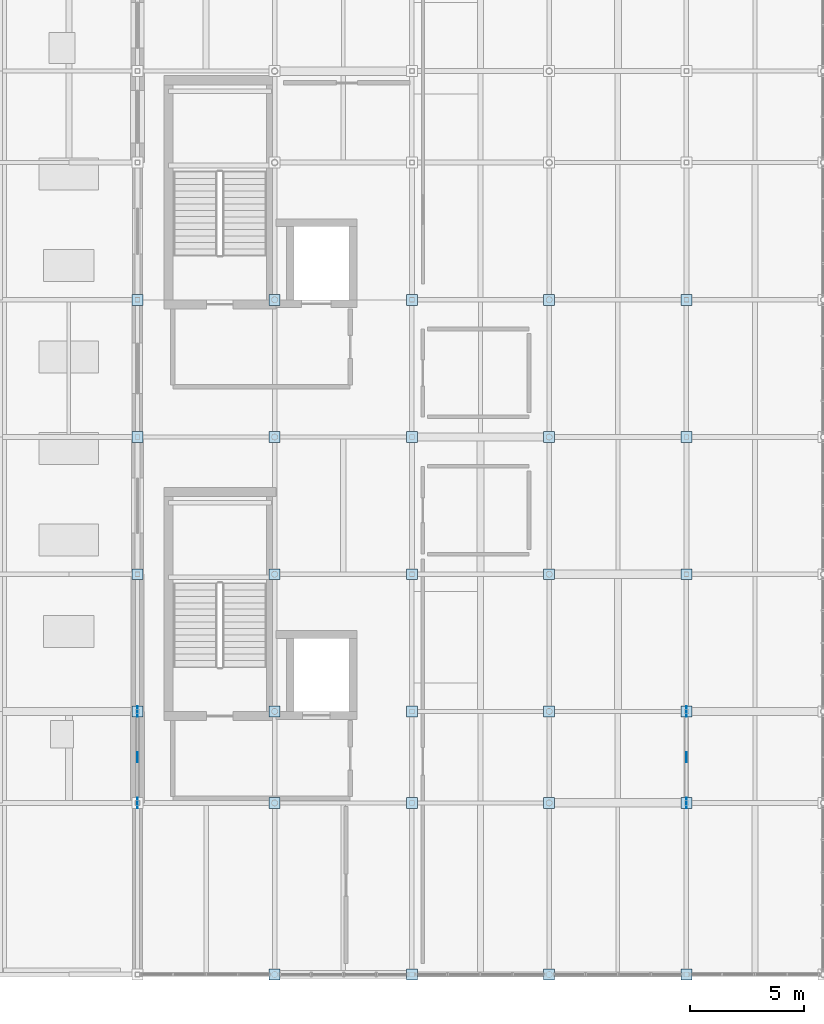
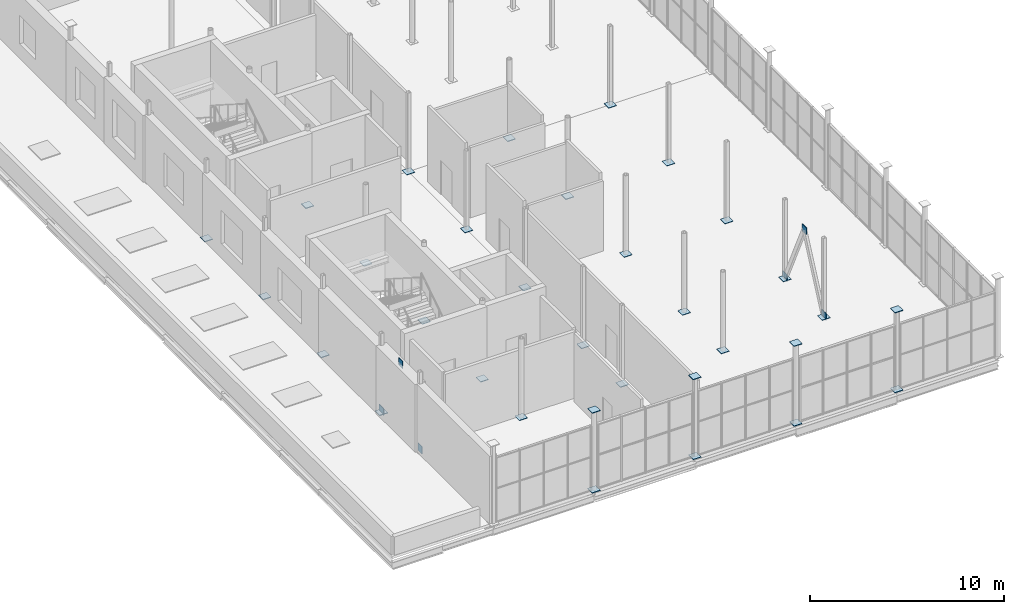
# One storey, part 22 of 27: 38 plates.
"""IFC4 building model written with IfcOpenShell, lengths in metres."""

from ifc_helpers import new_model, si_unit, direction, frame, origin, origin_2d, place, context, subcontext, project, spatial, rectangle, extrude, material, layer, layer_set, type_object, element, save


model = new_model("IFC4")

# Units and contexts
model_context = context("Model", 3, precision=1e-05, world=origin(), true_north=direction((0.0, 1.0)))
body_context = subcontext(model_context, "Body", "Model", "MODEL_VIEW")
ifc_project = project(units=[si_unit("LENGTHUNIT", "METRE"), si_unit("AREAUNIT", "SQUARE_METRE"), si_unit("VOLUMEUNIT", "CUBIC_METRE"), si_unit("PLANEANGLEUNIT", "RADIAN"), si_unit("MASSUNIT", "GRAM", prefix="KILO")], contexts=[model_context])

# Site, building, storey
site_placement = place(None, origin())
site = spatial("IfcSite", under=ifc_project, at=site_placement, CompositionType="ELEMENT")
building_placement = place(site_placement, origin())
building = spatial("IfcBuilding", under=site, at=building_placement, Name="Verrall Gate Interchange", CompositionType="ELEMENT")
storey_placement = place(building_placement, frame((0.0, 0.0, 23.60009765625)))
storey = spatial("IfcBuildingStorey", under=building, at=storey_placement, Name="L06", CompositionType="ELEMENT", Elevation=23.60009765625)

# Plates
ifc_material_1 = material(Name="Structural Steel CSA G40.21 350WT Cat 4", Category="steel")
ifc_layer_1 = layer(ifc_material_1, 0.0400390625)
ifc_layer_set_1 = layer_set([ifc_layer_1], Name="Structural Steel CSA G40.21 350WT Cat 4")
plate_type_1 = type_object("IfcPlateType", Name="BP-01 Base Plate 40", PredefinedType="USERDEFINED", material=ifc_layer_set_1)
for number, where, z_axis, x_axis, name in (
    (1, (6.0, 16.0, -0.02001953125), (0.0, 0.0, 1.0), (1.0, 0.0, 0.0), "L06 Hollow Column Transition Cap Plate 0160"),
    (2, (6.0, 22.0, -0.02001953125), (0.0, 0.0, 1.0), (1.0, 0.0, 0.0), "L06 Hollow Column Transition Cap Plate 0169"),
    (3, (6.0, 28.0, -0.02001953125), (0.0, 0.0, 1.0), (1.0, 0.0, 0.0), "L06 Hollow Column Transition Cap Plate 0178"),
    (4, (6.0, 34.0, -0.02001953125), (0.0, 0.0, 1.0), (1.0, 0.0, 0.0), "L06 Hollow Column Transition Cap Plate 0187"),
    (5, (12.0, 4.5, -0.02001953125), (0.0, 0.0, 1.0), (1.0, 0.0, 0.0), "L06 Hollow Column Transition Cap Plate 0260"),
    (6, (12.0, 4.5, 5.0), (0.0, 0.0, 1.0), (1.0, 0.0, 0.0), "L06 Hollow Column Top Cap Plate 0261"),
    (7, (12.0, 12.0, -0.02001953125), (0.0, 0.0, 1.0), (1.0, 0.0, 0.0), "L06 Hollow Column Transition Cap Plate 0268"),
    (8, (12.0, 16.0, -0.02001953125), (0.0, 0.0, 1.0), (1.0, 0.0, 0.0), "L06 Hollow Column Transition Cap Plate 0277"),
    (9, (12.0, 22.0, -0.02001953125), (0.0, 0.0, 1.0), (1.0, 0.0, 0.0), "L06 Hollow Column Transition Cap Plate 0286"),
    (10, (12.0, 28.0, -0.02001953125), (0.0, 0.0, 1.0), (1.0, 0.0, 0.0), "L06 Hollow Column Transition Cap Plate 0295"),
    (11, (12.0, 34.0, -0.02001953125), (0.0, 0.0, 1.0), (1.0, 0.0, 0.0), "L06 Hollow Column Transition Cap Plate 0304"),
    (12, (18.0, 4.5, -0.02001953125), (0.0, 0.0, 1.0), (1.0, 0.0, 0.0), "L06 Hollow Column Transition Cap Plate 0377"),
    (13, (18.0, 4.5, 5.0), (0.0, 0.0, 1.0), (1.0, 0.0, 0.0), "L06 Hollow Column Top Cap Plate 0378"),
    (14, (18.0, 12.0, -0.02001953125), (0.0, 0.0, 1.0), (1.0, 0.0, 0.0), "L06 Hollow Column Transition Cap Plate 0385"),
    (15, (18.0, 16.0, -0.02001953125), (0.0, 0.0, 1.0), (1.0, 0.0, 0.0), "L06 Hollow Column Transition Cap Plate 0394"),
    (16, (18.0, 22.0, -0.02001953125), (0.0, 0.0, 1.0), (1.0, 0.0, 0.0), "L06 Hollow Column Transition Cap Plate 0403"),
    (17, (18.0, 28.0, -0.02001953125), (0.0, 0.0, 1.0), (1.0, 0.0, 0.0), "L06 Hollow Column Transition Cap Plate 0412"),
    (18, (18.0, 34.0, -0.02001953125), (0.0, 0.0, 1.0), (1.0, 0.0, 0.0), "L06 Hollow Column Transition Cap Plate 0421"),
    (19, (24.0, 4.5, -0.02001953125), (0.0, 0.0, 1.0), (1.0, 0.0, 0.0), "L06 Hollow Column Transition Cap Plate 0494"),
    (20, (24.0, 4.5, 5.0), (0.0, 0.0, 1.0), (1.0, 0.0, 0.0), "L06 Hollow Column Top Cap Plate 0495"),
    (21, (24.0, 12.0, -0.02001953125), (0.0, 0.0, 1.0), (1.0, 0.0, 0.0), "L06 Hollow Column Transition Cap Plate 0502"),
    (22, (24.0, 16.0, -0.02001953125), (0.0, 0.0, 1.0), (1.0, 0.0, 0.0), "L06 Hollow Column Transition Cap Plate 0511"),
    (23, (24.0, 22.0, -0.02001953125), (0.0, 0.0, 1.0), (1.0, 0.0, 0.0), "L06 Hollow Column Transition Cap Plate 0520"),
    (24, (24.0, 28.0, -0.02001953125), (0.0, 0.0, 1.0), (1.0, 0.0, 0.0), "L06 Hollow Column Transition Cap Plate 0529"),
    (25, (24.0, 34.0, -0.02001953125), (0.0, 0.0, 1.0), (1.0, 0.0, 0.0), "L06 Hollow Column Transition Cap Plate 0538"),
    (26, (30.0, 4.5, -0.02001953125), (0.0, 0.0, 1.0), (1.0, 0.0, 0.0), "L06 Hollow Column Transition Cap Plate 0611"),
    (27, (30.0, 4.5, 5.0), (0.0, 0.0, 1.0), (1.0, 0.0, 0.0), "L06 Hollow Column Top Cap Plate 0612"),
    (28, (30.0, 12.0, -0.02001953125), (0.0, 0.0, 1.0), (1.0, 0.0, 0.0), "L06 Hollow Column Transition Cap Plate 0619"),
    (29, (30.0, 16.0, -0.02001953125), (0.0, 0.0, 1.0), (1.0, 0.0, 0.0), "L06 Hollow Column Transition Cap Plate 0628"),
    (30, (30.0, 22.0, -0.02001953125), (0.0, 0.0, 1.0), (1.0, 0.0, 0.0), "L06 Hollow Column Transition Cap Plate 0637"),
    (31, (30.0, 28.0, -0.02001953125), (0.0, 0.0, 1.0), (1.0, 0.0, 0.0), "L06 Hollow Column Transition Cap Plate 0646"),
    (32, (30.0, 34.0, -0.02001953125), (0.0, 0.0, 1.0), (1.0, 0.0, 0.0), "L06 Hollow Column Transition Cap Plate 0655"),
):
    element("IfcPlate", number, at=place(storey_placement, frame(where, z_axis=z_axis, x_axis=x_axis)), inside=storey, type_object=plate_type_1, Name=name, ObjectType="BASE_PLATE", PredefinedType="USERDEFINED", context=body_context, shape_type="SweptSolid", body=[
        extrude(rectangle(XDim=0.47998046875, YDim=0.47998046875, at=origin_2d()), origin(), (0.0, 0.0, 1.0), 0.0400390625),
    ])
ifc_material_2 = material(Name="Structural Steel CSA G40.21 350WT Cat 4", Category="steel")
ifc_layer_2 = layer(ifc_material_2, 0.030029296875)
ifc_layer_set_2 = layer_set([ifc_layer_2], Name="Structural Steel CSA G40.21 350WT Cat 4")
plate_type_2 = type_object("IfcPlateType", Name="GP-02 Gusset Plate 30", PredefinedType="SHEET", material=ifc_layer_set_2)
for number, where, z_axis, x_axis, name in (
    (33, (6.0, 12.0, -0.0849609375), (0.0, 0.0, 1.0), (1.0, 0.0, 0.0), "Chevron Brace Gusset Node CBF4-L06-BA"),
    (34, (6.0, 16.0, -0.0849609375), (0.0, 0.0, 1.0), (1.0, 0.0, 0.0), "Chevron Brace Gusset Node CBF4-L06-BB"),
    (35, (6.0, 14.0, 4.06494140625), (0.0, 0.0, 1.0), (1.0, 0.0, 0.0), "Chevron Brace Gusset Node CBF4-L06-AP"),
    (36, (30.0, 12.0, -0.0849609375), (0.0, 0.0, 1.0), (1.0, 0.0, 0.0), "Chevron Brace Gusset Node CBF5-L06-BA"),
    (37, (30.0, 16.0, -0.0849609375), (0.0, 0.0, 1.0), (1.0, 0.0, 0.0), "Chevron Brace Gusset Node CBF5-L06-BB"),
    (38, (30.0, 14.0, 4.06494140625), (0.0, 0.0, 1.0), (1.0, 0.0, 0.0), "Chevron Brace Gusset Node CBF5-L06-AP"),
):
    element("IfcPlate", number, at=place(storey_placement, frame(where, z_axis=z_axis, x_axis=x_axis)), inside=storey, type_object=plate_type_2, Name=name, PredefinedType="SHEET", context=body_context, shape_type="SweptSolid", body=[
        extrude(rectangle(XDim=0.030029296875, YDim=0.449951171875, at=origin_2d()), origin(), (0.0, 0.0, 1.0), 0.449951171875),
    ])

save(model, "model.ifc")
